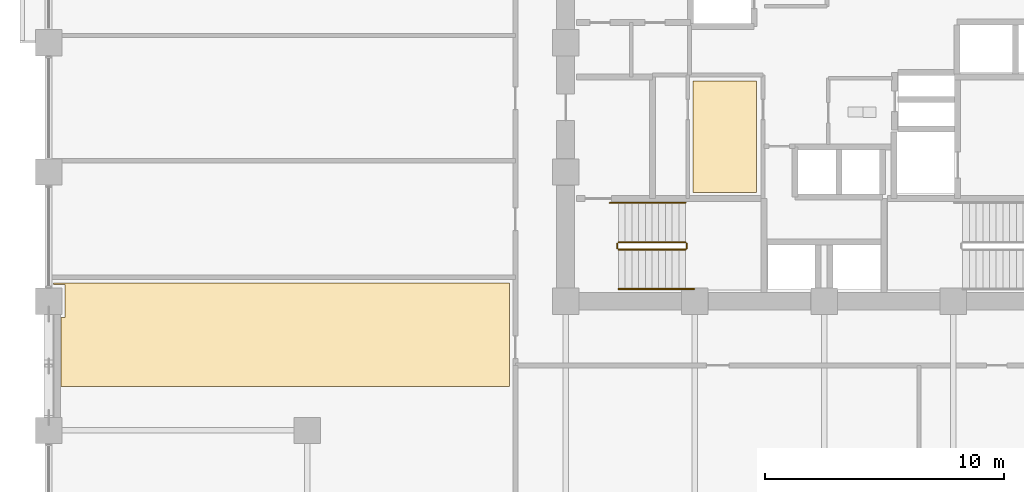
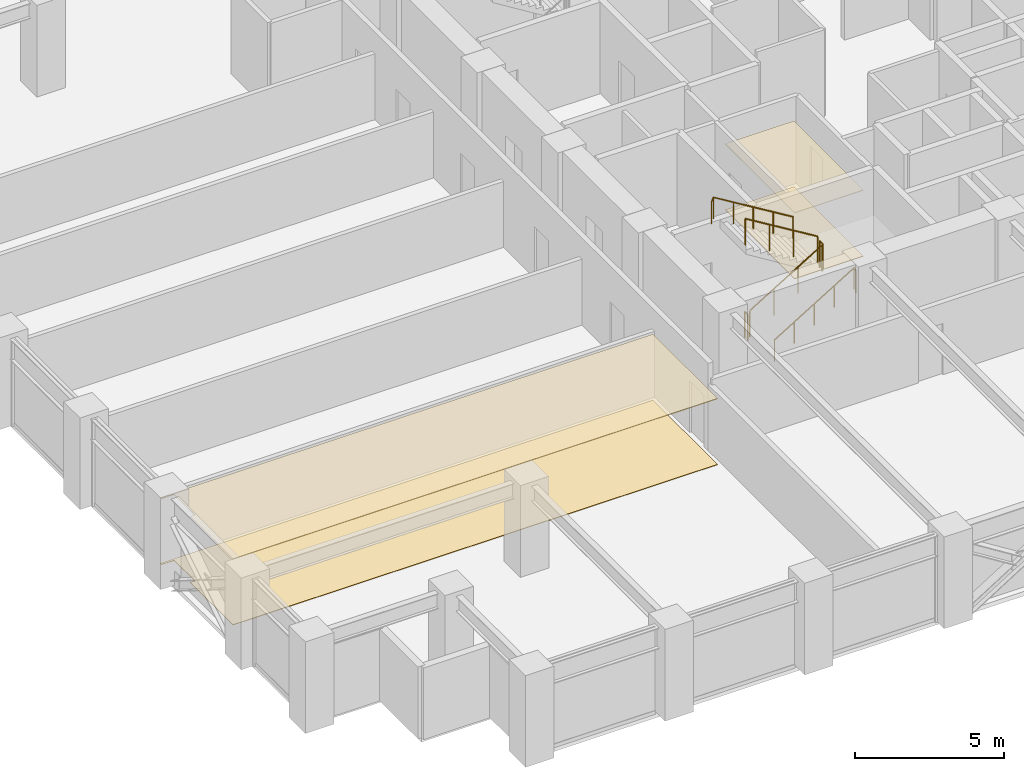
# One storey, part 22 of 24: 6 railings, 4 coverings.
"""IFC4 building model written with IfcOpenShell, lengths in metres."""

from ifc_helpers import new_model, si_unit, direction, frame, origin, origin_2d, place, context, subcontext, project, spatial, polyline, circle, outline, extrude, material, layer, layer_set, type_object, element, save


model = new_model("IFC4")

# Units and contexts
model_context = context("Model", 3, precision=1e-05, world=origin(), true_north=direction((0.0, 1.0)))
body_context = subcontext(model_context, "Body", "Model", "MODEL_VIEW")
ifc_project = project(units=[si_unit("LENGTHUNIT", "METRE"), si_unit("AREAUNIT", "SQUARE_METRE"), si_unit("VOLUMEUNIT", "CUBIC_METRE"), si_unit("PLANEANGLEUNIT", "RADIAN"), si_unit("MASSUNIT", "GRAM", prefix="KILO")], contexts=[model_context])

# Site, building, storey
site_placement = place(None, origin())
site = spatial("IfcSite", under=ifc_project, at=site_placement, CompositionType="ELEMENT")
building_placement = place(site_placement, origin())
building = spatial("IfcBuilding", under=site, at=building_placement, Name="Surkhivell Harbour Commons", CompositionType="ELEMENT")
storey_placement = place(building_placement, frame((0.0, 0.0, 105.75)))
storey = spatial("IfcBuildingStorey", under=building, at=storey_placement, Name="L27", CompositionType="ELEMENT", Elevation=105.75)

# Coverings
ifc_material_1 = material(Name="Perforated acoustic mineral-fibre ceiling tile", Category="other")
ifc_layer_1 = layer(ifc_material_1, 0.02490234375)
ifc_layer_set_1 = layer_set([ifc_layer_1], Name="Perforated acoustic mineral-fibre ceiling tile")
covering_type_1 = type_object("IfcCoveringType", Name="COV-CEIL-AC", PredefinedType="CEILING", material=ifc_layer_set_1)
covering_1_placement = place(storey_placement, frame((0.0, 0.0, 2.694091796875)))
element("IfcCovering", 1, at=covering_1_placement, inside=storey, type_object=covering_type_1, Name="L27 Suspended Acoustic Ceiling 1", PredefinedType="CEILING", context=body_context, shape_type="SweptSolid", body=[
    extrude(outline(polyline([(-5.47998046875, -6.260009765625), (-2.820068359375, -6.260009765625), (-2.820068359375, -1.60009765625), (-5.47998046875, -1.60009765625), (-5.47998046875, -6.260009765625)])), origin(), (0.0, 0.0, 1.0), 0.02490234375),
])
ifc_material_2 = material(Name="Moisture-resistant gypsum acoustic ceiling board", Category="other")
ifc_layer_2 = layer(ifc_material_2, 0.030029296875)
ifc_layer_set_2 = layer_set([ifc_layer_2], Name="Moisture-resistant gypsum acoustic ceiling board")
covering_type_2 = type_object("IfcCoveringType", Name="COV-CEIL-GYP", PredefinedType="CEILING", material=ifc_layer_set_2)
covering_2_placement = place(storey_placement, frame((0.0, 0.0, 2.68896484375)))
element("IfcCovering", 2, at=covering_2_placement, inside=storey, type_object=covering_type_2, Name="L27 Suspended Acoustic Ceiling 2", PredefinedType="CEILING", context=body_context, shape_type="SweptSolid", body=[
    extrude(outline(polyline([(-13.139892578125, -14.360107421875), (-13.139892578125, -10.027587890625), (-32.18994140625, -10.027587890625), (-32.18994140625, -10.110107421875), (-31.7099609375, -10.110107421875), (-31.7099609375, -11.489990234375), (-31.889892578125, -11.489990234375), (-31.889892578125, -14.360107421875), (-13.139892578125, -14.360107421875)])), origin(), (0.0, 0.0, 1.0), 0.030029296875),
])
ifc_material_3 = material(Name="Engineered acoustic oak timber flooring", Category="wood")
ifc_layer_3 = layer(ifc_material_3, 0.02001953125)
ifc_layer_set_3 = layer_set([ifc_layer_3], Name="Engineered acoustic oak timber flooring")
covering_type_3 = type_object("IfcCoveringType", Name="COV-FLR-TIM", PredefinedType="FLOORING", material=ifc_layer_set_3)
covering_3_placement = place(storey_placement, origin())
element("IfcCovering", 3, at=covering_3_placement, inside=storey, type_object=covering_type_3, Name="L27 Interior Floor Finish 1", PredefinedType="FLOORING", context=body_context, shape_type="SweptSolid", body=[
    extrude(outline(polyline([(-5.47998046875, -6.260009765625), (-2.820068359375, -6.260009765625), (-2.820068359375, -1.60009765625), (-5.47998046875, -1.60009765625), (-5.47998046875, -6.260009765625)])), origin(), (0.0, 0.0, 1.0), 0.02001953125),
])
covering_4_placement = place(storey_placement, origin())
element("IfcCovering", 4, at=covering_4_placement, inside=storey, type_object=covering_type_3, Name="L27 Interior Floor Finish 2", PredefinedType="FLOORING", context=body_context, shape_type="SweptSolid", body=[
    extrude(outline(polyline([(-13.139892578125, -14.360107421875), (-13.139892578125, -10.027587890625), (-32.18994140625, -10.027587890625), (-32.18994140625, -10.110107421875), (-31.7099609375, -10.110107421875), (-31.7099609375, -11.489990234375), (-31.889892578125, -11.489990234375), (-31.889892578125, -14.360107421875), (-13.139892578125, -14.360107421875)])), origin(), (0.0, 0.0, 1.0), 0.02001953125),
])

# Railings
ifc_material_4 = material(Name="Galvanised and painted steel S355 guard rail", Category="steel")
railing_type_1 = type_object("IfcRailingType", Name="RAL-ST-GRD1100", PredefinedType="GUARDRAIL", material=ifc_material_4)
railing_1_placement = place(storey_placement, frame((-8.590087890625, -8.639892578125, 0.17041015625)))
element("IfcRailing", 5, at=railing_1_placement, inside=storey, type_object=railing_type_1, Name="L27 ST3 stair guard 1", PredefinedType="GUARDRAIL", context=body_context, shape_type="SweptSolid", body=[
    extrude(circle(Radius=0.02392578125, at=origin_2d()), frame((0.0, 0.0, 1.076171875), z_axis=(0.854169791009, 0.0, 0.51999420009), x_axis=(0.0, 1.0, 0.0)), (0.0, 0.0, 1.0), 3.278076171875),
    extrude(circle(Radius=0.02099609375, at=origin_2d()), origin(), (0.0, 0.0, 1.0), 1.052001953125),
    extrude(circle(Radius=0.02099609375, at=origin_2d()), frame((0.933349609375, 0.0, 0.568115234375)), (0.0, 0.0, 1.0), 1.052001953125),
    extrude(circle(Radius=0.02099609375, at=origin_2d()), frame((1.86669921875, 0.0, 1.136474609375)), (0.0, 0.0, 1.0), 1.052001953125),
    extrude(circle(Radius=0.02099609375, at=origin_2d()), frame((2.800048828125, 0.0, 1.70458984375)), (0.0, 0.0, 1.0), 1.052001953125),
])
railing_2_placement = place(storey_placement, frame((-5.739990234375, -8.590087890625, 1.875)))
element("IfcRailing", 6, at=railing_2_placement, inside=storey, type_object=railing_type_1, Name="L27 ST3 stair guard 2", PredefinedType="GUARDRAIL", context=body_context, shape_type="SweptSolid", body=[
    extrude(circle(Radius=0.02392578125, at=origin_2d()), frame((0.0, 0.0, 1.076171875), z_axis=(0.0, 1.0, 0.0), x_axis=(-1.0, 0.0, 0.0)), (0.0, 0.0, 1.0), 0.2001953125),
    extrude(circle(Radius=0.02099609375, at=origin_2d()), origin(), (0.0, 0.0, 1.0), 1.052001953125),
    extrude(circle(Radius=0.02099609375, at=origin_2d()), frame((0.0, 0.2001953125, 0.0)), (0.0, 0.0, 1.0), 1.052001953125),
])
railing_3_placement = place(storey_placement, frame((-5.7900390625, -8.340087890625, 2.04541015625)))
element("IfcRailing", 7, at=railing_3_placement, inside=storey, type_object=railing_type_1, Name="L27 ST3 stair guard 3", PredefinedType="GUARDRAIL", context=body_context, shape_type="SweptSolid", body=[
    extrude(circle(Radius=0.02392578125, at=origin_2d()), frame((0.0, 0.0, 1.076171875), z_axis=(-0.854169791009, 0.0, 0.51999420009), x_axis=(0.0, -1.0, 0.0)), (0.0, 0.0, 1.0), 3.278076171875),
    extrude(circle(Radius=0.02099609375, at=origin_2d()), origin(), (0.0, 0.0, 1.0), 1.052001953125),
    extrude(circle(Radius=0.02099609375, at=origin_2d()), frame((-0.933349609375, 0.0, 0.568115234375)), (0.0, 0.0, 1.0), 1.052001953125),
    extrude(circle(Radius=0.02099609375, at=origin_2d()), frame((-1.86669921875, 0.0, 1.136474609375)), (0.0, 0.0, 1.0), 1.052001953125),
    extrude(circle(Radius=0.02099609375, at=origin_2d()), frame((-2.800048828125, 0.0, 1.70458984375)), (0.0, 0.0, 1.0), 1.052001953125),
])
railing_4_placement = place(storey_placement, frame((-8.639892578125, -8.590087890625, 0.0)))
element("IfcRailing", 8, at=railing_4_placement, inside=storey, type_object=railing_type_1, Name="L27 ST3 stair guard 4", PredefinedType="GUARDRAIL", context=body_context, shape_type="SweptSolid", body=[
    extrude(circle(Radius=0.02392578125, at=origin_2d()), frame((0.0, 0.0, 1.076171875), z_axis=(0.0, 1.0, 0.0), x_axis=(-1.0, 0.0, 0.0)), (0.0, 0.0, 1.0), 0.2001953125),
    extrude(circle(Radius=0.02099609375, at=origin_2d()), origin(), (0.0, 0.0, 1.0), 1.052001953125),
    extrude(circle(Radius=0.02099609375, at=origin_2d()), frame((0.0, 0.2001953125, 0.0)), (0.0, 0.0, 1.0), 1.052001953125),
])
ifc_material_5 = material(Name="Brushed stainless steel S355 handrail", Category="steel")
railing_type_2 = type_object("IfcRailingType", Name="RAL-ST-HND900", PredefinedType="HANDRAIL", material=ifc_material_5)
railing_5_placement = place(storey_placement, frame((-8.590087890625, -10.2900390625, 0.17041015625)))
element("IfcRailing", 9, at=railing_5_placement, inside=storey, type_object=railing_type_2, Name="L27 ST3 stair handrail 1", PredefinedType="HANDRAIL", context=body_context, shape_type="SweptSolid", body=[
    extrude(circle(Radius=0.02392578125, at=origin_2d()), frame((0.0, 0.0, 0.8759765625), z_axis=(0.854177636135, 0.0, 0.519981313056), x_axis=(0.0, 1.0, 0.0)), (0.0, 0.0, 1.0), 3.60595703125),
    extrude(circle(Radius=0.02392578125, at=origin_2d()), frame((3.080078125, 0.0, 2.7509765625), z_axis=(0.425297416671, 0.0, -0.905053648892), x_axis=(0.0, 1.0, 0.0)), (0.0, 0.0, 1.0), 0.188232421875),
    extrude(circle(Radius=0.02099609375, at=origin_2d()), origin(), (0.0, 0.0, 1.0), 0.851806640625),
    extrude(circle(Radius=0.02099609375, at=origin_2d()), frame((0.77001953125, 0.0, 0.46875)), (0.0, 0.0, 1.0), 0.851806640625),
    extrude(circle(Radius=0.02099609375, at=origin_2d()), frame((1.5400390625, 0.0, 0.9375)), (0.0, 0.0, 1.0), 0.851806640625),
    extrude(circle(Radius=0.02099609375, at=origin_2d()), frame((2.31005859375, 0.0, 1.40625)), (0.0, 0.0, 1.0), 0.851806640625),
    extrude(circle(Radius=0.02099609375, at=origin_2d()), frame((3.080078125, 0.0, 1.875)), (0.0, 0.0, 1.0), 0.851806640625),
    extrude(circle(Radius=0.02099609375, at=origin_2d()), frame((3.16015625, 0.0, 1.70458984375)), (0.0, 0.0, 1.0), 0.851806640625),
])
railing_6_placement = place(storey_placement, frame((-5.7900390625, -6.68994140625, 2.04541015625)))
element("IfcRailing", 10, at=railing_6_placement, inside=storey, type_object=railing_type_2, Name="L27 ST3 stair handrail 2", PredefinedType="HANDRAIL", context=body_context, shape_type="SweptSolid", body=[
    extrude(circle(Radius=0.02392578125, at=origin_2d()), frame((0.0, 0.0, 0.8759765625), z_axis=(-0.854177636135, 0.0, 0.519981313056), x_axis=(0.0, -1.0, 0.0)), (0.0, 0.0, 1.0), 3.60595703125),
    extrude(circle(Radius=0.02392578125, at=origin_2d()), frame((-3.080078125, 0.0, 2.7509765625), z_axis=(-0.424234432967, 0.0, -0.905552398199), x_axis=(0.0, -1.0, 0.0)), (0.0, 0.0, 1.0), 0.188232421875),
    extrude(circle(Radius=0.02099609375, at=origin_2d()), origin(), (0.0, 0.0, 1.0), 0.851806640625),
    extrude(circle(Radius=0.02099609375, at=origin_2d()), frame((-0.77001953125, 0.0, 0.46875)), (0.0, 0.0, 1.0), 0.851806640625),
    extrude(circle(Radius=0.02099609375, at=origin_2d()), frame((-1.5400390625, 0.0, 0.9375)), (0.0, 0.0, 1.0), 0.851806640625),
    extrude(circle(Radius=0.02099609375, at=origin_2d()), frame((-2.31005859375, 0.0, 1.40625)), (0.0, 0.0, 1.0), 0.851806640625),
    extrude(circle(Radius=0.02099609375, at=origin_2d()), frame((-3.080078125, 0.0, 1.875)), (0.0, 0.0, 1.0), 0.851806640625),
    extrude(circle(Radius=0.02099609375, at=origin_2d()), frame((-3.159912109375, 0.0, 1.70458984375)), (0.0, 0.0, 1.0), 0.851806640625),
])

save(model, "model.ifc")
